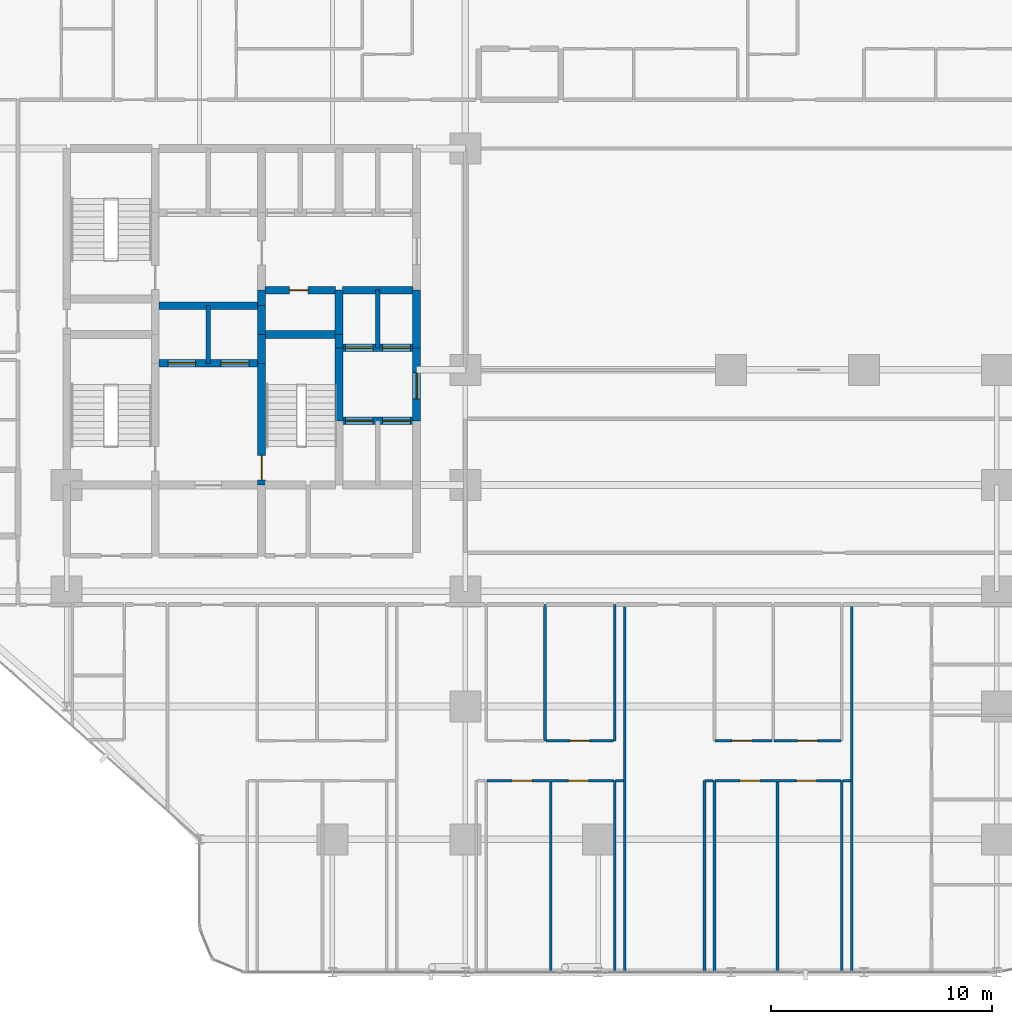
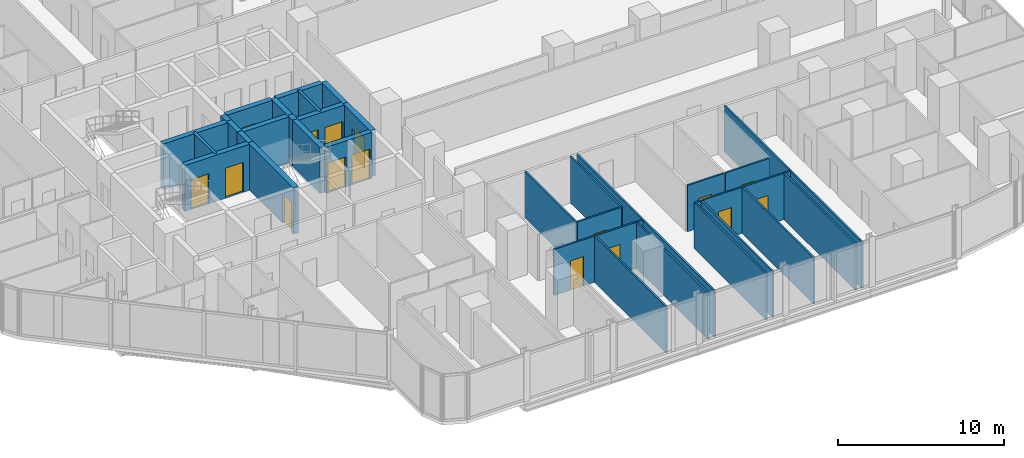
# One storey, part 29 of 35: 36 walls, 16 doors, 16 openings.
"""IFC4 building model written with IfcOpenShell, lengths in metres."""

from ifc_helpers import new_model, si_unit, direction, frame, frame_2d, origin, place, context, subcontext, project, spatial, rectangle, extrude, material, layer, layer_set, type_object, element, fill, save


model = new_model("IFC4")

# Units and contexts
model_context = context("Model", 3, precision=1e-05, world=origin(), true_north=direction((0.0, 1.0)))
body_context = subcontext(model_context, "Body", "Model", "MODEL_VIEW")
ifc_project = project(units=[si_unit("LENGTHUNIT", "METRE"), si_unit("AREAUNIT", "SQUARE_METRE"), si_unit("VOLUMEUNIT", "CUBIC_METRE"), si_unit("PLANEANGLEUNIT", "RADIAN"), si_unit("MASSUNIT", "GRAM", prefix="KILO")], contexts=[model_context])

# Site, building, storey
site_placement = place(None, origin())
site = spatial("IfcSite", under=ifc_project, at=site_placement, CompositionType="ELEMENT")
building_placement = place(site_placement, origin())
building = spatial("IfcBuilding", under=site, at=building_placement, Name="Keshet Zoharim Tower", CompositionType="ELEMENT")
storey_placement = place(building_placement, frame((0.0, 0.0, 24.0)))
storey = spatial("IfcBuildingStorey", under=building, at=storey_placement, Name="L04", CompositionType="ELEMENT", Elevation=24.0)

# Wall, opening, door
ifc_material_1 = material(Name="Concrete C60/75", Category="concrete")
ifc_layer_1 = layer(ifc_material_1, 0.35009765625)
ifc_layer_set_1 = layer_set([ifc_layer_1], Name="Concrete C60/75")
wall_type_1 = type_object("IfcWallType", Name="WL-CORE-350", PredefinedType="SHEAR", material=ifc_layer_set_1)
wall_1_placement = place(storey_placement, frame((23.800048828125, 22.699951171875, 0.0), z_axis=(0.0, 0.0, 1.0), x_axis=(0.0, 1.0, 0.0)))
wall_1 = element("IfcWall", 1, at=wall_1_placement, inside=storey, type_object=wall_type_1, Name="L04 Core Shear Wall 041", PredefinedType="SHEAR", context=body_context, shape_type="SweptSolid", body=[
    extrude(rectangle(XDim=5.5, YDim=0.35009765625, at=frame_2d((2.75, 0.0))), origin(), (0.0, 0.0, 1.0), 3.385009765625),
])
opening_1_placement = place(wall_1_placement, frame((0.235107421875, 0.0, 0.0)))
opening_1 = element("IfcOpeningElement", 2, at=opening_1_placement, cuts=wall_1, Name="Opening D-F611", PredefinedType="OPENING", context=body_context, shape_type="SweptSolid", body=[
    extrude(rectangle(XDim=1.10009765625, YDim=2.14990234375, at=frame_2d((0.550048828125, 1.074951171875))), frame((0.0, 0.18505859375, 0.0), z_axis=(0.0, -1.0, 0.0), x_axis=(1.0, 0.0, 0.0)), (0.0, 0.0, 1.0), 0.3701171875),
])
ifc_material_2 = material(Name="Hardwood Timber", Category="wood")
door_type_1 = type_object("IfcDoorType", Name="DR-FD60-110", OperationType="NOTDEFINED", PredefinedType="DOOR", material=ifc_material_2)
door_1_placement = place(opening_1_placement, frame((1.10009765625, 0.0, 0.0), z_axis=(0.0, 0.0, 1.0), x_axis=(-1.0, 0.0, 0.0)))
door_1 = element("IfcDoor", 3, at=door_1_placement, inside=storey, type_object=door_type_1, Name="L04 Exit Stair ST-03 Fire Door", OperationType="SINGLE_SWING_LEFT", OverallHeight=2.14990234375, OverallWidth=1.10009765625, PredefinedType="DOOR", context=body_context, shape_type="SweptSolid", body=[
    extrude(rectangle(XDim=1.10009765625, YDim=2.14990234375, at=frame_2d((0.550048828125, 1.074951171875))), frame((0.0, 0.02490234375, 0.0), z_axis=(0.0, -1.0, 0.0), x_axis=(1.0, 0.0, 0.0)), (0.0, 0.0, 1.0), 0.050048828125),
])
fill(opening_1, door_1)

# Walls
for number, where, z_axis, x_axis, name in (
    (4, (23.800048828125, 28.199951171875, 0.0), (0.0, 0.0, 1.0), (0.0, 1.0, 0.0), "L04 Core Shear Wall 042"),
    (5, (23.800048828125, 29.5, 0.0), (0.0, 0.0, 1.0), (0.0, 1.0, 0.0), "L04 Core Shear Wall 043"),
):
    element("IfcWall", number, at=place(storey_placement, frame(where, z_axis=z_axis, x_axis=x_axis)), inside=storey, type_object=wall_type_1, Name=name, PredefinedType="SHEAR", context=body_context, shape_type="SweptSolid", body=[
        extrude(rectangle(XDim=1.300048828125, YDim=0.35009765625, at=frame_2d((0.64990234375, 0.0))), origin(), (0.0, 0.0, 1.0), 3.385009765625),
    ])
wall_2_placement = place(storey_placement, frame((23.800048828125, 30.800048828125, 0.0), z_axis=(0.0, 0.0, 1.0), x_axis=(0.0, 1.0, 0.0)))
element("IfcWall", 6, at=wall_2_placement, inside=storey, type_object=wall_type_1, Name="L04 Core Shear Wall 044", PredefinedType="SHEAR", context=body_context, shape_type="SweptSolid", body=[
    extrude(rectangle(XDim=0.699951171875, YDim=0.35009765625, at=frame_2d((0.35009765625, 0.0))), origin(), (0.0, 0.0, 1.0), 3.385009765625),
])
wall_3_placement = place(storey_placement, frame((27.300048828125, 25.60009765625, 0.0), z_axis=(0.0, 0.0, 1.0), x_axis=(0.0, 1.0, 0.0)))
element("IfcWall", 7, at=wall_3_placement, inside=storey, type_object=wall_type_1, Name="L04 Core Shear Wall 052", PredefinedType="SHEAR", context=body_context, shape_type="SweptSolid", body=[
    extrude(rectangle(XDim=3.2998046875, YDim=0.35009765625, at=frame_2d((1.64990234375, 0.0))), origin(), (0.0, 0.0, 1.0), 3.385009765625),
])
wall_4_placement = place(storey_placement, frame((27.300048828125, 28.89990234375, 0.0), z_axis=(0.0, 0.0, 1.0), x_axis=(0.0, 1.0, 0.0)))
element("IfcWall", 8, at=wall_4_placement, inside=storey, type_object=wall_type_1, Name="L04 Core Shear Wall 053", PredefinedType="SHEAR", context=body_context, shape_type="SweptSolid", body=[
    extrude(rectangle(XDim=0.60009765625, YDim=0.35009765625, at=frame_2d((0.300048828125, 0.0))), origin(), (0.0, 0.0, 1.0), 3.385009765625),
])
wall_5_placement = place(storey_placement, frame((27.300048828125, 29.5, 0.0), z_axis=(0.0, 0.0, 1.0), x_axis=(0.0, 1.0, 0.0)))
element("IfcWall", 9, at=wall_5_placement, inside=storey, type_object=wall_type_1, Name="L04 Core Shear Wall 054", PredefinedType="SHEAR", context=body_context, shape_type="SweptSolid", body=[
    extrude(rectangle(XDim=2.0, YDim=0.35009765625, at=frame_2d((1.0, 0.0))), origin(), (0.0, 0.0, 1.0), 3.385009765625),
])

# Wall, opening, door
wall_6_placement = place(storey_placement, frame((30.800048828125, 25.60009765625, 0.0), z_axis=(0.0, 0.0, 1.0), x_axis=(0.0, 1.0, 0.0)))
wall_6 = element("IfcWall", 10, at=wall_6_placement, inside=storey, type_object=wall_type_1, Name="L04 Core Shear Wall 068", PredefinedType="SHEAR", context=body_context, shape_type="SweptSolid", body=[
    extrude(rectangle(XDim=3.2998046875, YDim=0.35009765625, at=frame_2d((1.64990234375, 0.0))), origin(), (0.0, 0.0, 1.0), 3.385009765625),
])
opening_2_placement = place(wall_6_placement, frame((0.97802734375, 0.0, 0.0)))
opening_2 = element("IfcOpeningElement", 11, at=opening_2_placement, cuts=wall_6, Name="Opening D-F612", PredefinedType="OPENING", context=body_context, shape_type="SweptSolid", body=[
    extrude(rectangle(XDim=1.199951171875, YDim=2.199951171875, at=frame_2d((0.60009765625, 1.10009765625))), frame((0.0, 0.18505859375, 0.0), z_axis=(0.0, -1.0, 0.0), x_axis=(1.0, 0.0, 0.0)), (0.0, 0.0, 1.0), 0.3701171875),
])
door_type_2 = type_object("IfcDoorType", Name="DR-FD60-120", OperationType="NOTDEFINED", PredefinedType="DOOR", material=ifc_material_2)
door_2_placement = place(opening_2_placement, origin())
door_2 = element("IfcDoor", 12, at=door_2_placement, inside=storey, type_object=door_type_2, Name="L04 East Lift Lobby Fire Door", OperationType="SINGLE_SWING_LEFT", OverallHeight=2.199951171875, OverallWidth=1.199951171875, PredefinedType="DOOR", context=body_context, shape_type="SweptSolid", body=[
    extrude(rectangle(XDim=1.199951171875, YDim=2.199951171875, at=frame_2d((0.60009765625, 1.10009765625))), frame((0.0, 0.02490234375, 0.0), z_axis=(0.0, -1.0, 0.0), x_axis=(1.0, 0.0, 0.0)), (0.0, 0.0, 1.0), 0.050048828125),
])
fill(opening_2, door_2)

# Wall
wall_7_placement = place(storey_placement, frame((30.800048828125, 28.89990234375, 0.0), z_axis=(0.0, 0.0, 1.0), x_axis=(0.0, 1.0, 0.0)))
element("IfcWall", 13, at=wall_7_placement, inside=storey, type_object=wall_type_1, Name="L04 Core Shear Wall 069", PredefinedType="SHEAR", context=body_context, shape_type="SweptSolid", body=[
    extrude(rectangle(XDim=2.60009765625, YDim=0.35009765625, at=frame_2d((1.300048828125, 0.0))), origin(), (0.0, 0.0, 1.0), 3.385009765625),
])

# Wall, openings, doors
wall_8_placement = place(storey_placement, frame((27.4599609375, 25.60009765625, 0.0), z_axis=(0.0, 0.0, 1.0), x_axis=(1.0, 0.0, 0.0)))
wall_8 = element("IfcWall", 14, at=wall_8_placement, inside=storey, type_object=wall_type_1, Name="L04 Core Shear Wall 178", PredefinedType="SHEAR", context=body_context, shape_type="SweptSolid", body=[
    extrude(rectangle(XDim=3.179931640625, YDim=0.35009765625, at=frame_2d((1.58984375, 0.0))), origin(), (0.0, 0.0, 1.0), 3.385009765625),
])
opening_3_placement = place(wall_8_placement, frame((0.1201171875, 0.0, 0.0)))
opening_3 = element("IfcOpeningElement", 15, at=opening_3_placement, cuts=wall_8, Name="Opening LD-01", PredefinedType="OPENING", context=body_context, shape_type="SweptSolid", body=[
    extrude(rectangle(XDim=1.25, YDim=2.199951171875, at=frame_2d((0.625, 1.10009765625))), frame((0.0, 0.18505859375, 0.0), z_axis=(0.0, -1.0, 0.0), x_axis=(1.0, 0.0, 0.0)), (0.0, 0.0, 1.0), 0.3701171875),
])
opening_4_placement = place(wall_8_placement, frame((1.81005859375, 0.0, 0.0)))
opening_4 = element("IfcOpeningElement", 16, at=opening_4_placement, cuts=wall_8, Name="Opening LD-01", PredefinedType="OPENING", context=body_context, shape_type="SweptSolid", body=[
    extrude(rectangle(XDim=1.25, YDim=2.199951171875, at=frame_2d((0.625, 1.10009765625))), frame((0.0, 0.18505859375, 0.0), z_axis=(0.0, -1.0, 0.0), x_axis=(1.0, 0.0, 0.0)), (0.0, 0.0, 1.0), 0.3701171875),
])
ifc_material_3 = material(Name="Steel S355", Category="steel")
door_type_3 = type_object("IfcDoorType", Name="DR-LD01-125", OperationType="DOUBLE_DOOR_SLIDING", PredefinedType="DOOR", material=ifc_material_3)
door_3_placement = place(opening_3_placement, origin())
door_3 = element("IfcDoor", 17, at=door_3_placement, inside=storey, type_object=door_type_3, Name="L04 Passenger Lift Landing Door LF-07", OperationType="DOUBLE_DOOR_SLIDING", OverallHeight=2.199951171875, OverallWidth=1.25, PredefinedType="DOOR", context=body_context, shape_type="SweptSolid", body=[
    extrude(rectangle(XDim=1.25, YDim=2.199951171875, at=frame_2d((0.625, 1.10009765625))), frame((0.0, 0.02490234375, 0.0), z_axis=(0.0, -1.0, 0.0), x_axis=(1.0, 0.0, 0.0)), (0.0, 0.0, 1.0), 0.050048828125),
])
fill(opening_3, door_3)
door_4_placement = place(opening_4_placement, origin())
door_4 = element("IfcDoor", 18, at=door_4_placement, inside=storey, type_object=door_type_3, Name="L04 Passenger Lift Landing Door LF-08", OperationType="DOUBLE_DOOR_SLIDING", OverallHeight=2.199951171875, OverallWidth=1.25, PredefinedType="DOOR", context=body_context, shape_type="SweptSolid", body=[
    extrude(rectangle(XDim=1.25, YDim=2.199951171875, at=frame_2d((0.625, 1.10009765625))), frame((0.0, 0.02490234375, 0.0), z_axis=(0.0, -1.0, 0.0), x_axis=(1.0, 0.0, 0.0)), (0.0, 0.0, 1.0), 0.050048828125),
])
fill(opening_4, door_4)

wall_9_placement = place(storey_placement, frame((19.159912109375, 28.199951171875, 0.0), z_axis=(0.0, 0.0, 1.0), x_axis=(1.0, 0.0, 0.0)))
wall_9 = element("IfcWall", 19, at=wall_9_placement, inside=storey, type_object=wall_type_1, Name="L04 Core Shear Wall 183", PredefinedType="SHEAR", context=body_context, shape_type="SweptSolid", body=[
    extrude(rectangle(XDim=4.47998046875, YDim=0.35009765625, at=frame_2d((2.239990234375, 0.0))), origin(), (0.0, 0.0, 1.0), 3.385009765625),
])
opening_5_placement = place(wall_9_placement, frame((0.4150390625, 0.0, 0.0)))
opening_5 = element("IfcOpeningElement", 20, at=opening_5_placement, cuts=wall_9, Name="Opening LD-01", PredefinedType="OPENING", context=body_context, shape_type="SweptSolid", body=[
    extrude(rectangle(XDim=1.25, YDim=2.199951171875, at=frame_2d((0.625, 1.10009765625))), frame((0.0, 0.18505859375, 0.0), z_axis=(0.0, -1.0, 0.0), x_axis=(1.0, 0.0, 0.0)), (0.0, 0.0, 1.0), 0.3701171875),
])
opening_6_placement = place(wall_9_placement, frame((2.81494140625, 0.0, 0.0)))
opening_6 = element("IfcOpeningElement", 21, at=opening_6_placement, cuts=wall_9, Name="Opening LD-01", PredefinedType="OPENING", context=body_context, shape_type="SweptSolid", body=[
    extrude(rectangle(XDim=1.25, YDim=2.199951171875, at=frame_2d((0.625, 1.10009765625))), frame((0.0, 0.18505859375, 0.0), z_axis=(0.0, -1.0, 0.0), x_axis=(1.0, 0.0, 0.0)), (0.0, 0.0, 1.0), 0.3701171875),
])
door_5_placement = place(opening_5_placement, origin())
door_5 = element("IfcDoor", 22, at=door_5_placement, inside=storey, type_object=door_type_3, Name="L04 Passenger Lift Landing Door LF-09", OperationType="DOUBLE_DOOR_SLIDING", OverallHeight=2.199951171875, OverallWidth=1.25, PredefinedType="DOOR", context=body_context, shape_type="SweptSolid", body=[
    extrude(rectangle(XDim=1.25, YDim=2.199951171875, at=frame_2d((0.625, 1.10009765625))), frame((0.0, 0.02490234375, 0.0), z_axis=(0.0, -1.0, 0.0), x_axis=(1.0, 0.0, 0.0)), (0.0, 0.0, 1.0), 0.050048828125),
])
fill(opening_5, door_5)
door_6_placement = place(opening_6_placement, origin())
door_6 = element("IfcDoor", 23, at=door_6_placement, inside=storey, type_object=door_type_3, Name="L04 Passenger Lift Landing Door LF-10", OperationType="DOUBLE_DOOR_SLIDING", OverallHeight=2.199951171875, OverallWidth=1.25, PredefinedType="DOOR", context=body_context, shape_type="SweptSolid", body=[
    extrude(rectangle(XDim=1.25, YDim=2.199951171875, at=frame_2d((0.625, 1.10009765625))), frame((0.0, 0.02490234375, 0.0), z_axis=(0.0, -1.0, 0.0), x_axis=(1.0, 0.0, 0.0)), (0.0, 0.0, 1.0), 0.050048828125),
])
fill(opening_6, door_6)

wall_10_placement = place(storey_placement, frame((27.4599609375, 28.89990234375, 0.0), z_axis=(0.0, 0.0, 1.0), x_axis=(1.0, 0.0, 0.0)))
wall_10 = element("IfcWall", 24, at=wall_10_placement, inside=storey, type_object=wall_type_1, Name="L04 Core Shear Wall 188", PredefinedType="SHEAR", context=body_context, shape_type="SweptSolid", body=[
    extrude(rectangle(XDim=3.179931640625, YDim=0.35009765625, at=frame_2d((1.58984375, 0.0))), origin(), (0.0, 0.0, 1.0), 3.385009765625),
])
opening_7_placement = place(wall_10_placement, frame((0.1201171875, 0.0, 0.0)))
opening_7 = element("IfcOpeningElement", 25, at=opening_7_placement, cuts=wall_10, Name="Opening LD-01", PredefinedType="OPENING", context=body_context, shape_type="SweptSolid", body=[
    extrude(rectangle(XDim=1.25, YDim=2.199951171875, at=frame_2d((0.625, 1.10009765625))), frame((0.0, 0.18505859375, 0.0), z_axis=(0.0, -1.0, 0.0), x_axis=(1.0, 0.0, 0.0)), (0.0, 0.0, 1.0), 0.3701171875),
])
opening_8_placement = place(wall_10_placement, frame((1.81005859375, 0.0, 0.0)))
opening_8 = element("IfcOpeningElement", 26, at=opening_8_placement, cuts=wall_10, Name="Opening LD-01", PredefinedType="OPENING", context=body_context, shape_type="SweptSolid", body=[
    extrude(rectangle(XDim=1.25, YDim=2.199951171875, at=frame_2d((0.625, 1.10009765625))), frame((0.0, 0.18505859375, 0.0), z_axis=(0.0, -1.0, 0.0), x_axis=(1.0, 0.0, 0.0)), (0.0, 0.0, 1.0), 0.3701171875),
])
door_7_placement = place(opening_7_placement, origin())
door_7 = element("IfcDoor", 27, at=door_7_placement, inside=storey, type_object=door_type_3, Name="L04 Passenger Lift Landing Door LF-05", OperationType="DOUBLE_DOOR_SLIDING", OverallHeight=2.199951171875, OverallWidth=1.25, PredefinedType="DOOR", context=body_context, shape_type="SweptSolid", body=[
    extrude(rectangle(XDim=1.25, YDim=2.199951171875, at=frame_2d((0.625, 1.10009765625))), frame((0.0, 0.02490234375, 0.0), z_axis=(0.0, -1.0, 0.0), x_axis=(1.0, 0.0, 0.0)), (0.0, 0.0, 1.0), 0.050048828125),
])
fill(opening_7, door_7)
door_8_placement = place(opening_8_placement, origin())
door_8 = element("IfcDoor", 28, at=door_8_placement, inside=storey, type_object=door_type_3, Name="L04 Passenger Lift Landing Door LF-06", OperationType="DOUBLE_DOOR_SLIDING", OverallHeight=2.199951171875, OverallWidth=1.25, PredefinedType="DOOR", context=body_context, shape_type="SweptSolid", body=[
    extrude(rectangle(XDim=1.25, YDim=2.199951171875, at=frame_2d((0.625, 1.10009765625))), frame((0.0, 0.02490234375, 0.0), z_axis=(0.0, -1.0, 0.0), x_axis=(1.0, 0.0, 0.0)), (0.0, 0.0, 1.0), 0.050048828125),
])
fill(opening_8, door_8)

# Walls
wall_11_placement = place(storey_placement, frame((23.9599609375, 29.5, 0.0), z_axis=(0.0, 0.0, 1.0), x_axis=(1.0, 0.0, 0.0)))
element("IfcWall", 29, at=wall_11_placement, inside=storey, type_object=wall_type_1, Name="L04 Core Shear Wall 190", PredefinedType="SHEAR", context=body_context, shape_type="SweptSolid", body=[
    extrude(rectangle(XDim=3.179931640625, YDim=0.35009765625, at=frame_2d((1.58984375, 0.0))), origin(), (0.0, 0.0, 1.0), 3.385009765625),
])
wall_12_placement = place(storey_placement, frame((19.159912109375, 30.800048828125, 0.0), z_axis=(0.0, 0.0, 1.0), x_axis=(1.0, 0.0, 0.0)))
element("IfcWall", 30, at=wall_12_placement, inside=storey, type_object=wall_type_1, Name="L04 Core Shear Wall 191", PredefinedType="SHEAR", context=body_context, shape_type="SweptSolid", body=[
    extrude(rectangle(XDim=4.47998046875, YDim=0.35009765625, at=frame_2d((2.239990234375, 0.0))), origin(), (0.0, 0.0, 1.0), 3.385009765625),
])

# Wall, opening, door
wall_13_placement = place(storey_placement, frame((23.9599609375, 31.5, 0.0), z_axis=(0.0, 0.0, 1.0), x_axis=(1.0, 0.0, 0.0)))
wall_13 = element("IfcWall", 31, at=wall_13_placement, inside=storey, type_object=wall_type_1, Name="L04 Core Shear Wall 195", PredefinedType="SHEAR", context=body_context, shape_type="SweptSolid", body=[
    extrude(rectangle(XDim=3.179931640625, YDim=0.35009765625, at=frame_2d((1.58984375, 0.0))), origin(), (0.0, 0.0, 1.0), 3.385009765625),
])
opening_9_placement = place(wall_13_placement, frame((1.093994140625, 0.0, 0.0)))
opening_9 = element("IfcOpeningElement", 32, at=opening_9_placement, cuts=wall_13, Name="Opening D-RS85", PredefinedType="OPENING", context=body_context, shape_type="SweptSolid", body=[
    extrude(rectangle(XDim=0.85009765625, YDim=2.10009765625, at=frame_2d((0.425048828125, 1.050048828125))), frame((0.0, 0.18505859375, 0.0), z_axis=(0.0, -1.0, 0.0), x_axis=(1.0, 0.0, 0.0)), (0.0, 0.0, 1.0), 0.3701171875),
])
door_type_4 = type_object("IfcDoorType", Name="DR-RIS-085", OperationType="NOTDEFINED", PredefinedType="DOOR", material=ifc_material_2)
door_9_placement = place(opening_9_placement, origin())
door_9 = element("IfcDoor", 33, at=door_9_placement, inside=storey, type_object=door_type_4, Name="L04 Telecom Riser Access Cupboard Door", OperationType="SINGLE_SWING_RIGHT", OverallHeight=2.10009765625, OverallWidth=0.85009765625, PredefinedType="DOOR", context=body_context, shape_type="SweptSolid", body=[
    extrude(rectangle(XDim=0.85009765625, YDim=2.10009765625, at=frame_2d((0.425048828125, 1.050048828125))), frame((0.0, 0.02490234375, 0.0), z_axis=(0.0, -1.0, 0.0), x_axis=(1.0, 0.0, 0.0)), (0.0, 0.0, 1.0), 0.050048828125),
])
fill(opening_9, door_9)

# Walls
wall_14_placement = place(storey_placement, frame((27.4599609375, 31.5, 0.0), z_axis=(0.0, 0.0, 1.0), x_axis=(1.0, 0.0, 0.0)))
element("IfcWall", 34, at=wall_14_placement, inside=storey, type_object=wall_type_1, Name="L04 Core Shear Wall 196", PredefinedType="SHEAR", context=body_context, shape_type="SweptSolid", body=[
    extrude(rectangle(XDim=3.179931640625, YDim=0.35009765625, at=frame_2d((1.58984375, 0.0))), origin(), (0.0, 0.0, 1.0), 3.385009765625),
])
ifc_material_4 = material(Name="Concrete C50/60", Category="concrete")
ifc_layer_2 = layer(ifc_material_4, 0.199951171875)
ifc_layer_set_2 = layer_set([ifc_layer_2], Name="Concrete C50/60")
wall_type_2 = type_object("IfcWallType", Name="WL-FIRE-200", PredefinedType="STANDARD", material=ifc_layer_set_2)
for number, where, z_axis, x_axis, name in (
    (35, (21.39990234375, 28.199951171875, 0.0), (0.0, 0.0, 1.0), (0.0, 1.0, 0.0), "L04 Interior Wall 032"),
    (36, (29.050048828125, 28.89990234375, 0.0), (0.0, 0.0, 1.0), (0.0, 1.0, 0.0), "L04 Interior Wall 060"),
):
    element("IfcWall", number, at=place(storey_placement, frame(where, z_axis=z_axis, x_axis=x_axis)), inside=storey, type_object=wall_type_2, Name=name, PredefinedType="STANDARD", context=body_context, shape_type="SweptSolid", body=[
        extrude(rectangle(XDim=2.60009765625, YDim=0.199951171875, at=frame_2d((1.300048828125, 0.0))), origin(), (0.0, 0.0, 1.0), 3.385009765625),
    ])
ifc_material_5 = material(Name="Gypsum Plasterboard", Category="gypsum")
ifc_layer_3 = layer(ifc_material_5, 0.1201171875)
ifc_layer_set_3 = layer_set([ifc_layer_3], Name="Gypsum Plasterboard")
wall_type_3 = type_object("IfcWallType", Name="WL-PART-120", PredefinedType="PARTITIONING", material=ifc_layer_set_3)
for number, where, z_axis, x_axis, name in (
    (37, (36.85009765625, 0.7099609375, 0.0), (0.0, 0.0, 1.0), (0.0, 1.0, 0.0), "L04 Interior Wall 082"),
    (38, (39.75, 0.7099609375, 0.0), (0.0, 0.0, 1.0), (0.0, 1.0, 0.0), "L04 Interior Wall 085"),
):
    element("IfcWall", number, at=place(storey_placement, frame(where, z_axis=z_axis, x_axis=x_axis)), inside=storey, type_object=wall_type_3, Name=name, PredefinedType="PARTITIONING", context=body_context, shape_type="SweptSolid", body=[
        extrude(rectangle(XDim=8.64013671875, YDim=0.1201171875, at=frame_2d((4.320068359375, 0.0))), origin(), (0.0, 0.0, 1.0), 3.385009765625),
    ])
wall_15_placement = place(storey_placement, frame((40.199951171875, 0.7099609375, 0.0), z_axis=(0.0, 0.0, 1.0), x_axis=(0.0, 1.0, 0.0)))
element("IfcWall", 39, at=wall_15_placement, inside=storey, type_object=wall_type_3, Name="L04 Interior Wall 087", PredefinedType="PARTITIONING", context=body_context, shape_type="SweptSolid", body=[
    extrude(rectangle(XDim=16.590087890625, YDim=0.1201171875, at=frame_2d((8.294921875, 0.0))), origin(), (0.0, 0.0, 1.0), 3.385009765625),
])
for number, where, z_axis, x_axis, name in (
    (40, (43.800048828125, 0.7099609375, 0.0), (0.0, 0.0, 1.0), (0.0, 1.0, 0.0), "L04 Interior Wall 090"),
    (41, (44.25, 0.7099609375, 0.0), (0.0, 0.0, 1.0), (0.0, 1.0, 0.0), "L04 Interior Wall 091"),
    (42, (47.10009765625, 0.7099609375, 0.0), (0.0, 0.0, 1.0), (0.0, 1.0, 0.0), "L04 Interior Wall 099"),
    (43, (50.0, 0.7099609375, 0.0), (0.0, 0.0, 1.0), (0.0, 1.0, 0.0), "L04 Interior Wall 101"),
):
    element("IfcWall", number, at=place(storey_placement, frame(where, z_axis=z_axis, x_axis=x_axis)), inside=storey, type_object=wall_type_3, Name=name, PredefinedType="PARTITIONING", context=body_context, shape_type="SweptSolid", body=[
        extrude(rectangle(XDim=8.64013671875, YDim=0.1201171875, at=frame_2d((4.320068359375, 0.0))), origin(), (0.0, 0.0, 1.0), 3.385009765625),
    ])
wall_16_placement = place(storey_placement, frame((50.449951171875, 0.7099609375, 0.0), z_axis=(0.0, 0.0, 1.0), x_axis=(0.0, 1.0, 0.0)))
element("IfcWall", 44, at=wall_16_placement, inside=storey, type_object=wall_type_3, Name="L04 Interior Wall 103", PredefinedType="PARTITIONING", context=body_context, shape_type="SweptSolid", body=[
    extrude(rectangle(XDim=16.590087890625, YDim=0.1201171875, at=frame_2d((8.294921875, 0.0))), origin(), (0.0, 0.0, 1.0), 3.385009765625),
])

# Wall, openings, doors
wall_17_placement = place(storey_placement, frame((33.985107421875, 9.35009765625, 0.0), z_axis=(0.0, 0.0, 1.0), x_axis=(1.0, 0.0, 0.0)))
wall_17 = element("IfcWall", 45, at=wall_17_placement, inside=storey, type_object=wall_type_3, Name="L04 Interior Wall 128", PredefinedType="PARTITIONING", context=body_context, shape_type="SweptSolid", body=[
    extrude(rectangle(XDim=5.699951171875, YDim=0.1201171875, at=frame_2d((2.85009765625, 0.0))), origin(), (0.0, 0.0, 1.0), 3.385009765625),
])
opening_10_placement = place(wall_17_placement, frame((1.126953125, 0.0, 0.0)))
opening_10 = element("IfcOpeningElement", 46, at=opening_10_placement, cuts=wall_17, Name="Opening D-IN90", PredefinedType="OPENING", context=body_context, shape_type="SweptSolid", body=[
    extrude(rectangle(XDim=0.89990234375, YDim=2.14990234375, at=frame_2d((0.449951171875, 1.074951171875))), frame((0.0, 0.070068359375, 0.0), z_axis=(0.0, -1.0, 0.0), x_axis=(1.0, 0.0, 0.0)), (0.0, 0.0, 1.0), 0.14013671875),
])
opening_11_placement = place(wall_17_placement, frame((3.673095703125, 0.0, 0.0)))
opening_11 = element("IfcOpeningElement", 47, at=opening_11_placement, cuts=wall_17, Name="Opening D-IN90", PredefinedType="OPENING", context=body_context, shape_type="SweptSolid", body=[
    extrude(rectangle(XDim=0.89990234375, YDim=2.14990234375, at=frame_2d((0.449951171875, 1.074951171875))), frame((0.0, 0.070068359375, 0.0), z_axis=(0.0, -1.0, 0.0), x_axis=(1.0, 0.0, 0.0)), (0.0, 0.0, 1.0), 0.14013671875),
])
door_type_5 = type_object("IfcDoorType", Name="DR-INT-090", OperationType="NOTDEFINED", PredefinedType="DOOR", material=ifc_material_2)
door_10_placement = place(opening_10_placement, origin())
door_10 = element("IfcDoor", 48, at=door_10_placement, inside=storey, type_object=door_type_5, Name="Apartment 0403 Bedroom 1 Door", OperationType="SINGLE_SWING_RIGHT", OverallHeight=2.14990234375, OverallWidth=0.89990234375, PredefinedType="DOOR", context=body_context, shape_type="SweptSolid", body=[
    extrude(rectangle(XDim=0.89990234375, YDim=2.14990234375, at=frame_2d((0.449951171875, 1.074951171875))), frame((0.0, 0.02490234375, 0.0), z_axis=(0.0, -1.0, 0.0), x_axis=(1.0, 0.0, 0.0)), (0.0, 0.0, 1.0), 0.050048828125),
])
fill(opening_10, door_10)
door_11_placement = place(opening_11_placement, origin())
door_11 = element("IfcDoor", 49, at=door_11_placement, inside=storey, type_object=door_type_5, Name="Apartment 0403 Bedroom 2 Door", OperationType="SINGLE_SWING_LEFT", OverallHeight=2.14990234375, OverallWidth=0.89990234375, PredefinedType="DOOR", context=body_context, shape_type="SweptSolid", body=[
    extrude(rectangle(XDim=0.89990234375, YDim=2.14990234375, at=frame_2d((0.449951171875, 1.074951171875))), frame((0.0, 0.02490234375, 0.0), z_axis=(0.0, -1.0, 0.0), x_axis=(1.0, 0.0, 0.0)), (0.0, 0.0, 1.0), 0.050048828125),
])
fill(opening_11, door_11)

# Walls
for number, where, z_axis, x_axis, name in (
    (50, (39.77490234375, 9.35009765625, 0.0), (0.0, 0.0, 1.0), (1.0, 0.0, 0.0), "L04 Interior Wall 129"),
    (51, (43.824951171875, 9.35009765625, 0.0), (0.0, 0.0, 1.0), (1.0, 0.0, 0.0), "L04 Interior Wall 130"),
):
    element("IfcWall", number, at=place(storey_placement, frame(where, z_axis=z_axis, x_axis=x_axis)), inside=storey, type_object=wall_type_3, Name=name, PredefinedType="PARTITIONING", context=body_context, shape_type="SweptSolid", body=[
        extrude(rectangle(XDim=0.360107421875, YDim=0.1201171875, at=frame_2d((0.18017578125, 0.0))), origin(), (0.0, 0.0, 1.0), 3.385009765625),
    ])

# Wall, openings, doors
wall_18_placement = place(storey_placement, frame((44.27490234375, 9.35009765625, 0.0), z_axis=(0.0, 0.0, 1.0), x_axis=(1.0, 0.0, 0.0)))
wall_18 = element("IfcWall", 52, at=wall_18_placement, inside=storey, type_object=wall_type_3, Name="L04 Interior Wall 131", PredefinedType="PARTITIONING", context=body_context, shape_type="SweptSolid", body=[
    extrude(rectangle(XDim=5.7001953125, YDim=0.1201171875, at=frame_2d((2.85009765625, 0.0))), origin(), (0.0, 0.0, 1.0), 3.385009765625),
])
opening_12_placement = place(wall_18_placement, frame((1.126953125, 0.0, 0.0)))
opening_12 = element("IfcOpeningElement", 53, at=opening_12_placement, cuts=wall_18, Name="Opening D-IN90", PredefinedType="OPENING", context=body_context, shape_type="SweptSolid", body=[
    extrude(rectangle(XDim=0.89990234375, YDim=2.14990234375, at=frame_2d((0.449951171875, 1.074951171875))), frame((0.0, 0.070068359375, 0.0), z_axis=(0.0, -1.0, 0.0), x_axis=(1.0, 0.0, 0.0)), (0.0, 0.0, 1.0), 0.14013671875),
])
opening_13_placement = place(wall_18_placement, frame((3.673095703125, 0.0, 0.0)))
opening_13 = element("IfcOpeningElement", 54, at=opening_13_placement, cuts=wall_18, Name="Opening D-IN90", PredefinedType="OPENING", context=body_context, shape_type="SweptSolid", body=[
    extrude(rectangle(XDim=0.89990234375, YDim=2.14990234375, at=frame_2d((0.449951171875, 1.074951171875))), frame((0.0, 0.070068359375, 0.0), z_axis=(0.0, -1.0, 0.0), x_axis=(1.0, 0.0, 0.0)), (0.0, 0.0, 1.0), 0.14013671875),
])
door_12_placement = place(opening_12_placement, origin())
door_12 = element("IfcDoor", 55, at=door_12_placement, inside=storey, type_object=door_type_5, Name="Apartment 0404 Bedroom 1 Door", OperationType="SINGLE_SWING_RIGHT", OverallHeight=2.14990234375, OverallWidth=0.89990234375, PredefinedType="DOOR", context=body_context, shape_type="SweptSolid", body=[
    extrude(rectangle(XDim=0.89990234375, YDim=2.14990234375, at=frame_2d((0.449951171875, 1.074951171875))), frame((0.0, 0.02490234375, 0.0), z_axis=(0.0, -1.0, 0.0), x_axis=(1.0, 0.0, 0.0)), (0.0, 0.0, 1.0), 0.050048828125),
])
fill(opening_12, door_12)
door_13_placement = place(opening_13_placement, origin())
door_13 = element("IfcDoor", 56, at=door_13_placement, inside=storey, type_object=door_type_5, Name="Apartment 0404 Bedroom 2 Door", OperationType="SINGLE_SWING_LEFT", OverallHeight=2.14990234375, OverallWidth=0.89990234375, PredefinedType="DOOR", context=body_context, shape_type="SweptSolid", body=[
    extrude(rectangle(XDim=0.89990234375, YDim=2.14990234375, at=frame_2d((0.449951171875, 1.074951171875))), frame((0.0, 0.02490234375, 0.0), z_axis=(0.0, -1.0, 0.0), x_axis=(1.0, 0.0, 0.0)), (0.0, 0.0, 1.0), 0.050048828125),
])
fill(opening_13, door_13)

# Wall
wall_19_placement = place(storey_placement, frame((50.06494140625, 9.35009765625, 0.0), z_axis=(0.0, 0.0, 1.0), x_axis=(1.0, 0.0, 0.0)))
element("IfcWall", 57, at=wall_19_placement, inside=storey, type_object=wall_type_3, Name="L04 Interior Wall 132", PredefinedType="PARTITIONING", context=body_context, shape_type="SweptSolid", body=[
    extrude(rectangle(XDim=0.360107421875, YDim=0.1201171875, at=frame_2d((0.18017578125, 0.0))), origin(), (0.0, 0.0, 1.0), 3.385009765625),
])

# Wall, opening, door
wall_20_placement = place(storey_placement, frame((44.27490234375, 11.14990234375, 0.0), z_axis=(0.0, 0.0, 1.0), x_axis=(1.0, 0.0, 0.0)))
wall_20 = element("IfcWall", 58, at=wall_20_placement, inside=storey, type_object=wall_type_3, Name="L04 Interior Wall 137", PredefinedType="PARTITIONING", context=body_context, shape_type="SweptSolid", body=[
    extrude(rectangle(XDim=2.572998046875, YDim=0.1201171875, at=frame_2d((1.28662109375, 0.0))), origin(), (0.0, 0.0, 1.0), 3.385009765625),
])
opening_14_placement = place(wall_20_placement, frame((0.76611328125, 0.0, 0.0)))
opening_14 = element("IfcOpeningElement", 59, at=opening_14_placement, cuts=wall_20, Name="Opening D-IN90", PredefinedType="OPENING", context=body_context, shape_type="SweptSolid", body=[
    extrude(rectangle(XDim=0.89990234375, YDim=2.14990234375, at=frame_2d((0.449951171875, 1.074951171875))), frame((0.0, 0.070068359375, 0.0), z_axis=(0.0, -1.0, 0.0), x_axis=(1.0, 0.0, 0.0)), (0.0, 0.0, 1.0), 0.14013671875),
])
door_14_placement = place(opening_14_placement, origin())
door_14 = element("IfcDoor", 60, at=door_14_placement, inside=storey, type_object=door_type_5, Name="Apartment 0404 Kitchen Door", OperationType="SINGLE_SWING_RIGHT", OverallHeight=2.14990234375, OverallWidth=0.89990234375, PredefinedType="DOOR", context=body_context, shape_type="SweptSolid", body=[
    extrude(rectangle(XDim=0.89990234375, YDim=2.14990234375, at=frame_2d((0.449951171875, 1.074951171875))), frame((0.0, 0.02490234375, 0.0), z_axis=(0.0, -1.0, 0.0), x_axis=(1.0, 0.0, 0.0)), (0.0, 0.0, 1.0), 0.050048828125),
])
fill(opening_14, door_14)

# Walls
ifc_layer_4 = layer(ifc_material_5, 0.1201171875)
ifc_layer_set_4 = layer_set([ifc_layer_4], Name="Gypsum Plasterboard")
wall_type_4 = type_object("IfcWallType", Name="WL-WET-120", PredefinedType="PARTITIONING", material=ifc_layer_set_4)
for number, where, z_axis, x_axis, name in (
    (61, (36.60009765625, 11.14990234375, 0.0), (0.0, 0.0, 1.0), (0.0, 1.0, 0.0), "L04 Interior Wall 081"),
    (62, (39.75, 11.14990234375, 0.0), (0.0, 0.0, 1.0), (0.0, 1.0, 0.0), "L04 Interior Wall 086"),
):
    element("IfcWall", number, at=place(storey_placement, frame(where, z_axis=z_axis, x_axis=x_axis)), inside=storey, type_object=wall_type_4, Name=name, PredefinedType="PARTITIONING", context=body_context, shape_type="SweptSolid", body=[
        extrude(rectangle(XDim=6.150146484375, YDim=0.1201171875, at=frame_2d((3.0751953125, 0.0))), origin(), (0.0, 0.0, 1.0), 3.385009765625),
    ])

# Wall, opening, door
wall_21_placement = place(storey_placement, frame((36.64794921875, 11.14990234375, 0.0), z_axis=(0.0, 0.0, 1.0), x_axis=(1.0, 0.0, 0.0)))
wall_21 = element("IfcWall", 63, at=wall_21_placement, inside=storey, type_object=wall_type_4, Name="L04 Interior Wall 136", PredefinedType="PARTITIONING", context=body_context, shape_type="SweptSolid", body=[
    extrude(rectangle(XDim=3.037109375, YDim=0.1201171875, at=frame_2d((1.5185546875, 0.0))), origin(), (0.0, 0.0, 1.0), 3.385009765625),
])
opening_15_placement = place(wall_21_placement, frame((1.068115234375, 0.0, 0.0)))
opening_15 = element("IfcOpeningElement", 64, at=opening_15_placement, cuts=wall_21, Name="Opening D-WT90", PredefinedType="OPENING", context=body_context, shape_type="SweptSolid", body=[
    extrude(rectangle(XDim=0.89990234375, YDim=2.10009765625, at=frame_2d((0.449951171875, 1.050048828125))), frame((0.0, 0.070068359375, 0.0), z_axis=(0.0, -1.0, 0.0), x_axis=(1.0, 0.0, 0.0)), (0.0, 0.0, 1.0), 0.14013671875),
])
door_type_6 = type_object("IfcDoorType", Name="DR-WET-090", OperationType="NOTDEFINED", PredefinedType="DOOR", material=ifc_material_2)
door_15_placement = place(opening_15_placement, origin())
door_15 = element("IfcDoor", 65, at=door_15_placement, inside=storey, type_object=door_type_6, Name="Apartment 0403 Bathroom Door", OperationType="SINGLE_SWING_LEFT", OverallHeight=2.10009765625, OverallWidth=0.89990234375, PredefinedType="DOOR", context=body_context, shape_type="SweptSolid", body=[
    extrude(rectangle(XDim=0.89990234375, YDim=2.10009765625, at=frame_2d((0.449951171875, 1.050048828125))), frame((0.0, 0.02490234375, 0.0), z_axis=(0.0, -1.0, 0.0), x_axis=(1.0, 0.0, 0.0)), (0.0, 0.0, 1.0), 0.050048828125),
])
fill(opening_15, door_15)

wall_22_placement = place(storey_placement, frame((46.93798828125, 11.14990234375, 0.0), z_axis=(0.0, 0.0, 1.0), x_axis=(1.0, 0.0, 0.0)))
wall_22 = element("IfcWall", 66, at=wall_22_placement, inside=storey, type_object=wall_type_4, Name="L04 Interior Wall 138", PredefinedType="PARTITIONING", context=body_context, shape_type="SweptSolid", body=[
    extrude(rectangle(XDim=3.037109375, YDim=0.1201171875, at=frame_2d((1.5185546875, 0.0))), origin(), (0.0, 0.0, 1.0), 3.385009765625),
])
opening_16_placement = place(wall_22_placement, frame((1.069091796875, 0.0, 0.0)))
opening_16 = element("IfcOpeningElement", 67, at=opening_16_placement, cuts=wall_22, Name="Opening D-WT90", PredefinedType="OPENING", context=body_context, shape_type="SweptSolid", body=[
    extrude(rectangle(XDim=0.89990234375, YDim=2.10009765625, at=frame_2d((0.449951171875, 1.050048828125))), frame((0.0, 0.070068359375, 0.0), z_axis=(0.0, -1.0, 0.0), x_axis=(1.0, 0.0, 0.0)), (0.0, 0.0, 1.0), 0.14013671875),
])
door_16_placement = place(opening_16_placement, origin())
door_16 = element("IfcDoor", 68, at=door_16_placement, inside=storey, type_object=door_type_6, Name="Apartment 0404 Bathroom Door", OperationType="SINGLE_SWING_LEFT", OverallHeight=2.10009765625, OverallWidth=0.89990234375, PredefinedType="DOOR", context=body_context, shape_type="SweptSolid", body=[
    extrude(rectangle(XDim=0.89990234375, YDim=2.10009765625, at=frame_2d((0.449951171875, 1.050048828125))), frame((0.0, 0.02490234375, 0.0), z_axis=(0.0, -1.0, 0.0), x_axis=(1.0, 0.0, 0.0)), (0.0, 0.0, 1.0), 0.050048828125),
])
fill(opening_16, door_16)

save(model, "model.ifc")
